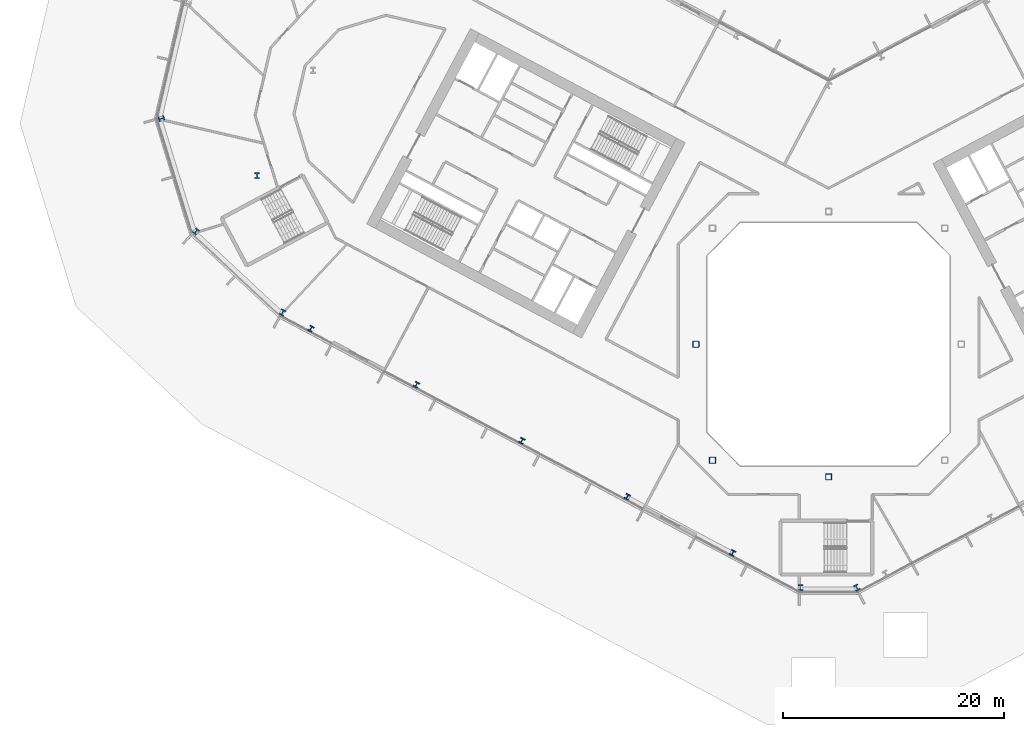
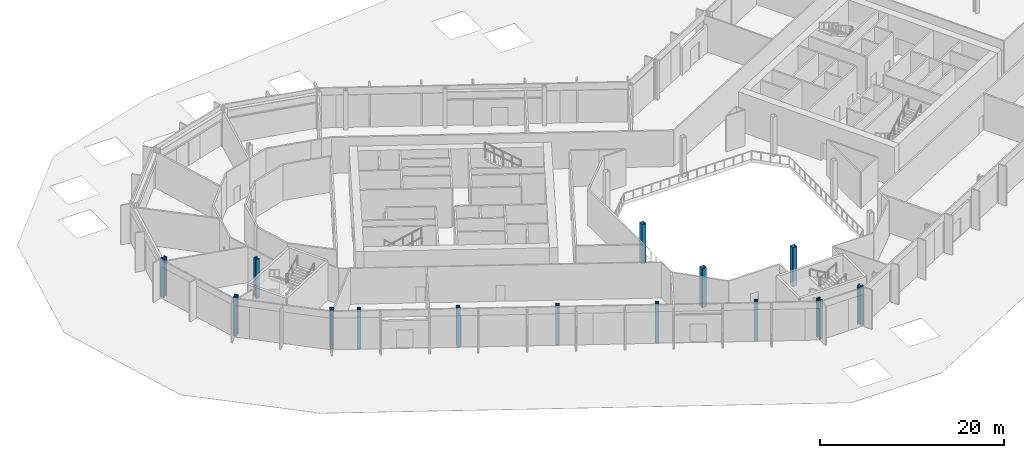
# One storey, part 1 of 30: 14 columns.
"""IFC4 building model written with IfcOpenShell, lengths in metres."""

from ifc_helpers import new_model, si_unit, direction, frame, origin, origin_2d, place, context, subcontext, project, spatial, hollow_rectangle, i_section, extrude, material, material_profile, profile_set, type_object, element, save


model = new_model("IFC4")

# Units and contexts
model_context = context("Model", 3, precision=1e-05, world=origin(), true_north=direction((0.0, 1.0)))
body_context = subcontext(model_context, "Body", "Model", "MODEL_VIEW")
ifc_project = project(units=[si_unit("LENGTHUNIT", "METRE"), si_unit("AREAUNIT", "SQUARE_METRE"), si_unit("VOLUMEUNIT", "CUBIC_METRE"), si_unit("PLANEANGLEUNIT", "RADIAN"), si_unit("MASSUNIT", "GRAM", prefix="KILO")], contexts=[model_context])

# Site, building, storey
site_placement = place(None, origin())
site = spatial("IfcSite", under=ifc_project, at=site_placement, CompositionType="ELEMENT")
building_placement = place(site_placement, origin())
building = spatial("IfcBuilding", under=site, at=building_placement, Name="Cormorant Relay Tower", CompositionType="ELEMENT")
storey_placement = place(building_placement, frame((0.0, 0.0, 7.0)))
storey = spatial("IfcBuildingStorey", under=building, at=storey_placement, Name="L01", CompositionType="ELEMENT", Elevation=7.0)

# Columns
ifc_material_1 = material(Name="Steel ASTM A1085 Grade A (Fy 345 MPa)", Category="steel")
ifc_material_profile_1 = material_profile(ifc_material_1, hollow_rectangle(XDim=0.558837890625, YDim=0.558837890625, WallThickness=0.023681640625, InnerFilletRadius=0.01171875, OuterFilletRadius=0.035400390625, at=origin_2d()), Name="HSS559x559x24")
ifc_profile_set_1 = profile_set([ifc_material_profile_1], Name="Steel ASTM A1085 Grade A (Fy 345 MPa)")
column_type_1 = type_object("IfcColumnType", Name="Column HSS559x559x24", PredefinedType="COLUMN", material=ifc_profile_set_1)
for number, where, z_axis, x_axis, name in (
    (1, (0.0, -12.0, 0.0), (0.0, 0.0, 1.0), (1.0, 0.0, 0.0), "Column L01-007"),
    (2, (-10.5, -10.5, 0.0), (0.0, 0.0, 1.0), (1.0, 0.0, 0.0), "Column L01-009"),
    (3, (-12.0, 0.0, 0.0), (0.0, 0.0, 1.0), (1.0, 0.0, 0.0), "Column L01-015"),
):
    element("IfcColumn", number, at=place(storey_placement, frame(where, z_axis=z_axis, x_axis=x_axis)), inside=storey, type_object=column_type_1, Name=name, PredefinedType="COLUMN", context=body_context, shape_type="SweptSolid", body=[
        extrude(hollow_rectangle(XDim=0.558837890625, YDim=0.558837890625, WallThickness=0.023681640625, InnerFilletRadius=0.01171875, OuterFilletRadius=0.035400390625, at=origin_2d()), origin(), (0.0, 0.0, 1.0), 5.199951171875),
    ])
ifc_material_2 = material(Name="Steel ASTM A992 (Fy 345 MPa)", Category="steel")
ifc_material_profile_2 = material_profile(ifc_material_2, i_section(OverallWidth=0.45458984375, OverallDepth=0.569091796875, WebThickness=0.077880859375, FlangeThickness=0.124755859375, FilletRadius=0.015380859375, at=origin_2d()), Name="W360x1086")
ifc_profile_set_2 = profile_set([ifc_material_profile_2], Name="Steel ASTM A992 (Fy 345 MPa)")
column_type_2 = type_object("IfcColumnType", Name="Column W360x1086", PredefinedType="COLUMN", material=ifc_profile_set_2)
for number, where, z_axis, x_axis, name in (
    (4, (-2.55908203125, -22.01708984375, 0.0), (0.0, 0.0, 1.0), (1.0, 0.0, 0.0), "Column L01-001"),
    (5, (2.55908203125, -22.01708984375, 0.0), (0.0, 0.0, 1.0), (0.882947592859, 0.469471562786, 0.0), "Column L01-002"),
    (6, (-49.39404296875, 2.861083984375, 0.0), (0.0, 0.0, 1.0), (0.882947592859, -0.469471562786, 0.0), "Column L01-018"),
    (7, (-57.218994140625, 10.198974609375, 0.0), (0.0, 0.0, 1.0), (0.731353701619, -0.681998360062, 0.0), "Column L01-021"),
    (8, (-51.68994140625, 15.251953125, 0.0), (0.0, 0.0, 1.0), (1.0, 0.0, 0.0), "Column L01-027"),
    (9, (-60.340087890625, 20.406982421875, 0.0), (0.0, 0.0, 1.0), (0.292371704723, -0.956304755963, 0.0), "Column L01-030"),
):
    element("IfcColumn", number, at=place(storey_placement, frame(where, z_axis=z_axis, x_axis=x_axis)), inside=storey, type_object=column_type_2, Name=name, PredefinedType="COLUMN", context=body_context, shape_type="SweptSolid", body=[
        extrude(i_section(OverallWidth=0.45458984375, OverallDepth=0.569091796875, WebThickness=0.077880859375, FlangeThickness=0.124755859375, FilletRadius=0.015380859375, at=origin_2d()), origin(), (0.0, 0.0, 1.0), 5.199951171875),
    ])
ifc_material_3 = material(Name="Steel ASTM A992 (Fy 345 MPa)", Category="steel")
ifc_material_profile_3 = material_profile(ifc_material_3, i_section(OverallWidth=0.43701171875, OverallDepth=0.51318359375, WebThickness=0.060546875, FlangeThickness=0.096923828125, FilletRadius=0.015380859375, at=origin_2d()), Name="W360x818")
ifc_profile_set_3 = profile_set([ifc_material_profile_3], Name="Steel ASTM A992 (Fy 345 MPa)")
column_type_3 = type_object("IfcColumnType", Name="Column W360x818", PredefinedType="COLUMN", material=ifc_profile_set_3)
for number, where, z_axis, x_axis, name in (
    (10, (-8.677001953125, -18.8759765625, 0.0), (0.0, 0.0, 1.0), (0.882947592859, -0.469471562786, 0.0), "Column L01-004"),
    (11, (-18.212890625, -13.804931640625, 0.0), (0.0, 0.0, 1.0), (0.882947592859, -0.469471562786, 0.0), "Column L01-006"),
    (12, (-27.7490234375, -8.735107421875, 0.0), (0.0, 0.0, 1.0), (0.882947592859, -0.469471562786, 0.0), "Column L01-011"),
    (13, (-37.284912109375, -3.6650390625, 0.0), (0.0, 0.0, 1.0), (0.882947592859, -0.469471562786, 0.0), "Column L01-013"),
    (14, (-46.821044921875, 1.405029296875, 0.0), (0.0, 0.0, 1.0), (0.882947592859, -0.469471562786, 0.0), "Column L01-017"),
):
    element("IfcColumn", number, at=place(storey_placement, frame(where, z_axis=z_axis, x_axis=x_axis)), inside=storey, type_object=column_type_3, Name=name, PredefinedType="COLUMN", context=body_context, shape_type="SweptSolid", body=[
        extrude(i_section(OverallWidth=0.43701171875, OverallDepth=0.51318359375, WebThickness=0.060546875, FlangeThickness=0.096923828125, FilletRadius=0.015380859375, at=origin_2d()), origin(), (0.0, 0.0, 1.0), 5.199951171875),
    ])

save(model, "model.ifc")
